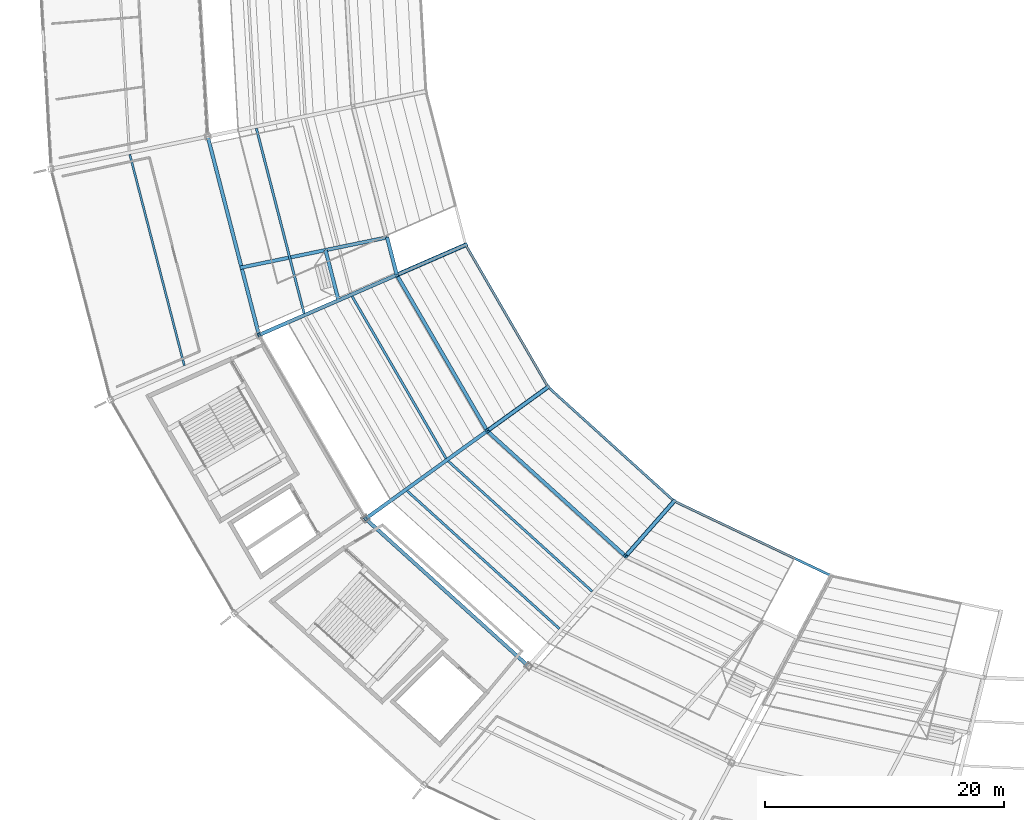
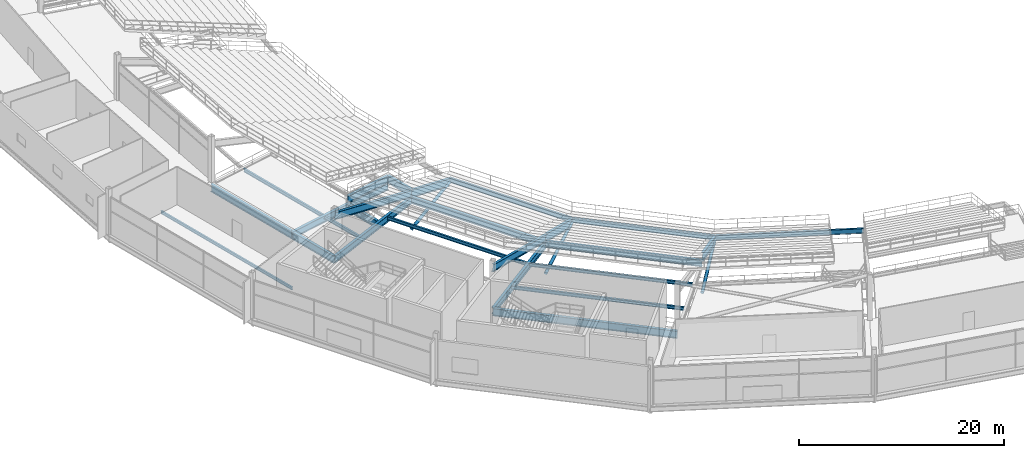
# One storey, part 26 of 186: 23 beams, 3 members.
"""IFC4 building model written with IfcOpenShell, lengths in metres."""

from ifc_helpers import new_model, si_unit, direction, frame, origin, origin_2d, place, context, subcontext, project, spatial, hollow_circle, i_section, extrude, material, material_profile, profile_set, type_object, element, save


model = new_model("IFC4")

# Units and contexts
model_context = context("Model", 3, precision=1e-05, world=origin(), true_north=direction((0.0, 1.0)))
body_context = subcontext(model_context, "Body", "Model", "MODEL_VIEW")
ifc_project = project(units=[si_unit("LENGTHUNIT", "METRE"), si_unit("AREAUNIT", "SQUARE_METRE"), si_unit("VOLUMEUNIT", "CUBIC_METRE"), si_unit("PLANEANGLEUNIT", "RADIAN"), si_unit("MASSUNIT", "GRAM", prefix="KILO")], contexts=[model_context])

# Site, building, storey
site_placement = place(None, origin())
site = spatial("IfcSite", under=ifc_project, at=site_placement, CompositionType="ELEMENT")
building_placement = place(site_placement, origin())
building = spatial("IfcBuilding", under=site, at=building_placement, Name="Kazemori Nagisa Stadium", CompositionType="ELEMENT")
storey_placement = place(building_placement, frame((0.0, 0.0, 20.39990234375)))
storey = spatial("IfcBuildingStorey", under=building, at=storey_placement, Name="L04", CompositionType="ELEMENT", Elevation=20.39990234375)

# Beams
ifc_material_1 = material(Name="Steel SN490B", Category="steel")
ifc_material_profile_1 = material_profile(ifc_material_1, i_section(OverallWidth=0.300048828125, OverallDepth=0.800048828125, WebThickness=0.013916015625, FlangeThickness=0.02587890625, FilletRadius=0.01806640625, at=origin_2d()), Name="H-800x300x14x26")
ifc_profile_set_1 = profile_set([ifc_material_profile_1], Name="Steel SN490B")
beam_type_1 = type_object("IfcBeamType", Name="Beam_BG-H800", PredefinedType="BEAM", material=ifc_profile_set_1)
beam_1_placement = place(storey_placement, frame((58.114013671875, 73.712890625, -0.699951171875), z_axis=(0.501613453924, -0.865091869597, 0.0), x_axis=(0.865091869597, 0.501613453924, 0.0)))
element("IfcBeam", 1, at=beam_1_placement, inside=storey, type_object=beam_type_1, Name="Ring girder BG-H800 L04 R1-17", PredefinedType="BEAM", context=body_context, shape_type="SweptSolid", body=[
    extrude(i_section(OverallWidth=0.300048828125, OverallDepth=0.800048828125, WebThickness=0.013916015625, FlangeThickness=0.02587890625, FilletRadius=0.01806640625, at=origin_2d()), origin(), (0.0, 0.0, 1.0), 15.1201171875),
])
beam_2_placement = place(storey_placement, frame((65.698486328125, 60.632568359375, -0.699951171875), z_axis=(0.741349160152, -0.6711195294, 0.0), x_axis=(0.6711195294, 0.741349160152, 0.0)))
element("IfcBeam", 2, at=beam_2_placement, inside=storey, type_object=beam_type_1, Name="Ring girder BG-H800 L04 R1-18", PredefinedType="BEAM", context=body_context, shape_type="SweptSolid", body=[
    extrude(i_section(OverallWidth=0.300048828125, OverallDepth=0.800048828125, WebThickness=0.013916015625, FlangeThickness=0.02587890625, FilletRadius=0.01806640625, at=origin_2d()), origin(), (0.0, 0.0, 1.0), 15.65380859375),
])
beam_3_placement = place(storey_placement, frame((58.114013671875, 73.712890625, -0.699951171875), z_axis=(-0.916671768981, -0.399640923771, 0.0), x_axis=(0.399640923771, -0.916671768981, 0.0)))
element("IfcBeam", 3, at=beam_3_placement, inside=storey, type_object=beam_type_1, Name="Radial girder BG-H800 L04 R1-R2-17", PredefinedType="BEAM", context=body_context, shape_type="SweptSolid", body=[
    extrude(i_section(OverallWidth=0.300048828125, OverallDepth=0.800048828125, WebThickness=0.013916015625, FlangeThickness=0.02587890625, FilletRadius=0.01806640625, at=origin_2d()), origin(), (0.0, 0.0, 1.0), 12.605224609375),
])
beam_4_placement = place(storey_placement, frame((65.698486328125, 60.632568359375, -0.699951171875), z_axis=(-0.810802996314, -0.585319144714, 0.0), x_axis=(0.585319144714, -0.810802996314, 0.0)))
element("IfcBeam", 4, at=beam_4_placement, inside=storey, type_object=beam_type_1, Name="Radial girder BG-H800 L04 R1-R2-18", PredefinedType="BEAM", context=body_context, shape_type="SweptSolid", body=[
    extrude(i_section(OverallWidth=0.300048828125, OverallDepth=0.800048828125, WebThickness=0.013916015625, FlangeThickness=0.02587890625, FilletRadius=0.01806640625, at=origin_2d()), origin(), (0.0, 0.0, 1.0), 12.585693359375),
])
beam_5_placement = place(storey_placement, frame((57.301513671875, 76.859619140625, -0.699951171875), z_axis=(-0.979315374168, -0.20233980804, 0.0), x_axis=(0.20233980804, -0.979315374168, 0.0)))
element("IfcBeam", 5, at=beam_5_placement, inside=storey, type_object=beam_type_1, Name="Upper vomitory radial carrier girder B16", PredefinedType="BEAM", context=body_context, shape_type="SweptSolid", body=[
    extrude(i_section(OverallWidth=0.300048828125, OverallDepth=0.800048828125, WebThickness=0.013916015625, FlangeThickness=0.02587890625, FilletRadius=0.01806640625, at=origin_2d()), origin(), (0.0, 0.0, 1.0), 12.605224609375),
])
ifc_material_profile_2 = material_profile(ifc_material_1, i_section(OverallWidth=0.300048828125, OverallDepth=0.89990234375, WebThickness=0.01611328125, FlangeThickness=0.028076171875, FilletRadius=0.01806640625, at=origin_2d()), Name="H-900x300x16x28")
ifc_profile_set_2 = profile_set([ifc_material_profile_2], Name="Steel SN490B")
beam_type_2 = type_object("IfcBeamType", Name="Beam_BG-H900", PredefinedType="BEAM", material=ifc_profile_set_2)
beam_6_placement = place(storey_placement, frame((42.262451171875, 85.31787109375, -0.75), z_axis=(0.249974673676, -0.968252375427, 0.0), x_axis=(0.968252375427, 0.249974673676, 0.0)))
element("IfcBeam", 6, at=beam_6_placement, inside=storey, type_object=beam_type_2, Name="Ring girder BG-H900 L04 R2-16", PredefinedType="BEAM", context=body_context, shape_type="SweptSolid", body=[
    extrude(i_section(OverallWidth=0.300048828125, OverallDepth=0.89990234375, WebThickness=0.01611328125, FlangeThickness=0.028076171875, FilletRadius=0.01806640625, at=origin_2d()), origin(), (0.0, 0.0, 1.0), 17.188232421875),
])
beam_7_placement = place(storey_placement, frame((55.493896484375, 53.265869140625, -0.75), z_axis=(0.741349142139, -0.671119549298, 0.0), x_axis=(0.671119549298, 0.741349142139, 0.0)))
element("IfcBeam", 7, at=beam_7_placement, inside=storey, type_object=beam_type_2, Name="Ring girder BG-H900 L04 R2-18", PredefinedType="BEAM", context=body_context, shape_type="SweptSolid", body=[
    extrude(i_section(OverallWidth=0.300048828125, OverallDepth=0.89990234375, WebThickness=0.01611328125, FlangeThickness=0.028076171875, FilletRadius=0.01806640625, at=origin_2d()), origin(), (0.0, 0.0, 1.0), 18.44189453125),
])
ifc_material_profile_3 = material_profile(ifc_material_1, i_section(OverallWidth=0.300048828125, OverallDepth=0.89990234375, WebThickness=0.01806640625, FlangeThickness=0.031982421875, FilletRadius=0.01806640625, at=origin_2d()), Name="H-900x300x18x32")
ifc_profile_set_3 = profile_set([ifc_material_profile_3], Name="Steel SN490B")
beam_type_3 = type_object("IfcBeamType", Name="Beam_BG-TR900", PredefinedType="BEAM", material=ifc_profile_set_3)
beam_8_placement = place(storey_placement, frame((57.301513671875, 76.859619140625, 0.150146484375), z_axis=(-0.979312342256, -0.202354481803, 0.0), x_axis=(0.202354481803, -0.979312342256, 0.0)))
element("IfcBeam", 8, at=beam_8_placement, inside=storey, type_object=beam_type_3, Name="Upper vomitory left transfer girder B16", PredefinedType="BEAM", context=body_context, shape_type="SweptSolid", body=[
    extrude(i_section(OverallWidth=0.300048828125, OverallDepth=0.89990234375, WebThickness=0.01806640625, FlangeThickness=0.031982421875, FilletRadius=0.01806640625, at=origin_2d()), origin(), (0.0, 0.0, 1.0), 5.2724609375),
])
beam_9_placement = place(storey_placement, frame((52.13818359375, 75.792724609375, -0.75), z_axis=(0.24996460126, -0.968254975777, 0.0), x_axis=(0.968254975777, 0.24996460126, 0.0)))
element("IfcBeam", 9, at=beam_9_placement, inside=storey, type_object=beam_type_3, Name="Upper vomitory portal header girder B16", PredefinedType="BEAM", context=body_context, shape_type="SweptSolid", body=[
    extrude(i_section(OverallWidth=0.300048828125, OverallDepth=0.89990234375, WebThickness=0.01806640625, FlangeThickness=0.031982421875, FilletRadius=0.01806640625, at=origin_2d()), origin(), (0.0, 0.0, 1.0), 4.349365234375),
])
beam_10_placement = place(storey_placement, frame((57.301513671875, 76.859619140625, 0.150146484375), z_axis=(0.25000524749, -0.968244481641, 0.0), x_axis=(0.968244481641, 0.25000524749, 0.0)))
element("IfcBeam", 10, at=beam_10_placement, inside=storey, type_object=beam_type_3, Name="Upper vomitory inner sill girder B16", PredefinedType="BEAM", context=body_context, shape_type="SweptSolid", body=[
    extrude(i_section(OverallWidth=0.300048828125, OverallDepth=0.89990234375, WebThickness=0.01806640625, FlangeThickness=0.031982421875, FilletRadius=0.01806640625, at=origin_2d()), origin(), (0.0, 0.0, 1.0), 3.25),
])
ifc_material_profile_4 = material_profile(ifc_material_1, i_section(OverallWidth=0.175048828125, OverallDepth=0.35009765625, WebThickness=0.007080078125, FlangeThickness=0.010986328125, FilletRadius=0.012939453125, at=origin_2d()), Name="H-350x175x7x11")
ifc_profile_set_4 = profile_set([ifc_material_profile_4], Name="Steel SN490B")
beam_type_4 = type_object("IfcBeamType", Name="Beam_BJ-H350", PredefinedType="JOIST", material=ifc_profile_set_4)
beam_11_placement = place(storey_placement, frame((35.72705078125, 83.81982421875, -0.474853515625), z_axis=(0.249965990044, -0.968254617248, 0.0), x_axis=(0.968254617248, 0.249965990044, 0.0)))
element("IfcBeam", 11, at=beam_11_placement, inside=storey, type_object=beam_type_4, Name="Outer bay joist BJ-H350 L04 B16", PredefinedType="JOIST", context=body_context, shape_type="SweptSolid", body=[
    extrude(i_section(OverallWidth=0.175048828125, OverallDepth=0.35009765625, WebThickness=0.007080078125, FlangeThickness=0.010986328125, FilletRadius=0.012939453125, at=origin_2d()), origin(), (0.0, 0.0, 1.0), 18.29736328125),
])
ifc_material_profile_5 = material_profile(ifc_material_1, i_section(OverallWidth=0.199951171875, OverallDepth=0.39990234375, WebThickness=0.008056640625, FlangeThickness=0.012939453125, FilletRadius=0.012939453125, at=origin_2d()), Name="H-400x200x8x13")
ifc_profile_set_5 = profile_set([ifc_material_profile_5], Name="Steel SN490B")
beam_type_5 = type_object("IfcBeamType", Name="Beam_BJ-H400", PredefinedType="JOIST", material=ifc_profile_set_5)
beam_12_placement = place(storey_placement, frame((46.335693359375, 86.01171875, -0.5), z_axis=(0.249956740753, -0.968257005011, 0.0), x_axis=(0.968257005011, 0.249956740753, 0.0)))
element("IfcBeam", 12, at=beam_12_placement, inside=storey, type_object=beam_type_5, Name="Concourse joist BJ-H400 L04 B16-2", PredefinedType="JOIST", context=body_context, shape_type="SweptSolid", body=[
    extrude(i_section(OverallWidth=0.199951171875, OverallDepth=0.39990234375, WebThickness=0.008056640625, FlangeThickness=0.012939453125, FilletRadius=0.012939453125, at=origin_2d()), origin(), (0.0, 0.0, 1.0), 16.038818359375),
])
beam_13_placement = place(storey_placement, frame((54.36474609375, 71.921142578125, -0.5), z_axis=(0.501603039788, -0.865097908028, 0.0), x_axis=(0.865097908028, 0.501603039788, 0.0)))
element("IfcBeam", 13, at=beam_13_placement, inside=storey, type_object=beam_type_5, Name="Concourse joist BJ-H400 L04 B17-1", PredefinedType="JOIST", context=body_context, shape_type="SweptSolid", body=[
    extrude(i_section(OverallWidth=0.199951171875, OverallDepth=0.39990234375, WebThickness=0.008056640625, FlangeThickness=0.012939453125, FilletRadius=0.012939453125, at=origin_2d()), origin(), (0.0, 0.0, 1.0), 15.720703125),
])
beam_14_placement = place(storey_placement, frame((62.4306640625, 58.0986328125, -0.5), z_axis=(0.741343259913, -0.671126047015, 0.0), x_axis=(0.671126047015, 0.741343259913, 0.0)))
element("IfcBeam", 14, at=beam_14_placement, inside=storey, type_object=beam_type_5, Name="Concourse joist BJ-H400 L04 B18-1", PredefinedType="JOIST", context=body_context, shape_type="SweptSolid", body=[
    extrude(i_section(OverallWidth=0.199951171875, OverallDepth=0.39990234375, WebThickness=0.008056640625, FlangeThickness=0.012939453125, FilletRadius=0.012939453125, at=origin_2d()), origin(), (0.0, 0.0, 1.0), 16.285888671875),
])
beam_15_placement = place(storey_placement, frame((58.976806640625, 55.605224609375, -0.5), z_axis=(0.741354140692, -0.671114027628, 0.0), x_axis=(0.671114027628, 0.741354140692, 0.0)))
element("IfcBeam", 15, at=beam_15_placement, inside=storey, type_object=beam_type_5, Name="Concourse joist BJ-H400 L04 B18-2", PredefinedType="JOIST", context=body_context, shape_type="SweptSolid", body=[
    extrude(i_section(OverallWidth=0.199951171875, OverallDepth=0.39990234375, WebThickness=0.008056640625, FlangeThickness=0.012939453125, FilletRadius=0.012939453125, at=origin_2d()), origin(), (0.0, 0.0, 1.0), 17.2294921875),
])
ifc_material_profile_6 = material_profile(ifc_material_1, i_section(OverallWidth=0.199951171875, OverallDepth=0.60009765625, WebThickness=0.010986328125, FlangeThickness=0.01708984375, FilletRadius=0.012939453125, at=origin_2d()), Name="H-600x200x11x17")
ifc_profile_set_6 = profile_set([ifc_material_profile_6], Name="Steel SN490B")
beam_type_6 = type_object("IfcBeamType", Name="Beam_BS-H600", PredefinedType="SPANDREL", material=ifc_profile_set_6)
beam_16_placement = place(storey_placement, frame((63.8916015625, 76.2314453125, -1.885009765625), z_axis=(0.501605611908, -0.865096416651, 0.0), x_axis=(0.865096416651, 0.501605611908, 0.0)))
element("IfcBeam", 16, at=beam_16_placement, inside=storey, type_object=beam_type_6, Name="Upper tier front ring beam 17", PredefinedType="SPANDREL", context=body_context, shape_type="SweptSolid", body=[
    extrude(i_section(OverallWidth=0.199951171875, OverallDepth=0.60009765625, WebThickness=0.010986328125, FlangeThickness=0.01708984375, FilletRadius=0.012939453125, at=origin_2d()), origin(), (0.0, 0.0, 1.0), 13.773681640625),
])
beam_17_placement = place(storey_placement, frame((70.800537109375, 64.31591796875, -1.885009765625), z_axis=(0.7413568829, -0.671110998402, 0.0), x_axis=(0.671110998402, 0.7413568829, 0.0)))
element("IfcBeam", 17, at=beam_17_placement, inside=storey, type_object=beam_type_6, Name="Upper tier front ring beam 18", PredefinedType="SPANDREL", context=body_context, shape_type="SweptSolid", body=[
    extrude(i_section(OverallWidth=0.199951171875, OverallDepth=0.60009765625, WebThickness=0.010986328125, FlangeThickness=0.01708984375, FilletRadius=0.012939453125, at=origin_2d()), origin(), (0.0, 0.0, 1.0), 14.260009765625),
])
beam_18_placement = place(storey_placement, frame((81.372314453125, 54.745849609375, -1.885009765625), z_axis=(0.903213541292, -0.429191447757, 0.0), x_axis=(0.429191447757, 0.903213541292, 0.0)))
element("IfcBeam", 18, at=beam_18_placement, inside=storey, type_object=beam_type_6, Name="Upper tier front ring beam 19", PredefinedType="SPANDREL", context=body_context, shape_type="SweptSolid", body=[
    extrude(i_section(OverallWidth=0.199951171875, OverallDepth=0.60009765625, WebThickness=0.010986328125, FlangeThickness=0.01708984375, FilletRadius=0.012939453125, at=origin_2d()), origin(), (0.0, 0.0, 1.0), 14.572998046875),
])
ifc_material_profile_7 = material_profile(ifc_material_1, i_section(OverallWidth=0.300048828125, OverallDepth=0.800048828125, WebThickness=0.013916015625, FlangeThickness=0.02587890625, FilletRadius=0.01806640625, at=origin_2d()), Name="H-800x300x14x26")
ifc_profile_set_7 = profile_set([ifc_material_profile_7], Name="Steel SN490B")
beam_type_7 = type_object("IfcBeamType", Name="Beam_RK-ST800", PredefinedType="USERDEFINED", material=ifc_profile_set_7)
beam_19_placement = place(storey_placement, frame((58.114013671875, 73.712890625, 0.02001953125), z_axis=(-0.864815739813, -0.377033277173, 0.331571476571), x_axis=(0.399640923771, -0.916671768981, 0.0)))
element("IfcBeam", 19, at=beam_19_placement, inside=storey, type_object=beam_type_7, Name="Raker beam upper backspan RK3-17B", ObjectType="RAKER BEAM", PredefinedType="USERDEFINED", context=body_context, shape_type="SweptSolid", body=[
    extrude(i_section(OverallWidth=0.300048828125, OverallDepth=0.800048828125, WebThickness=0.013916015625, FlangeThickness=0.02587890625, FilletRadius=0.01806640625, at=origin_2d()), origin(), (0.0, 0.0, 1.0), 13.361083984375),
])
beam_20_placement = place(storey_placement, frame((65.698486328125, 60.632568359375, 0.02001953125), z_axis=(-0.76480540319, -0.552113456047, 0.332029256096), x_axis=(0.585319144714, -0.810802996314, 0.0)))
element("IfcBeam", 20, at=beam_20_placement, inside=storey, type_object=beam_type_7, Name="Raker beam upper backspan RK3-18B", ObjectType="RAKER BEAM", PredefinedType="USERDEFINED", context=body_context, shape_type="SweptSolid", body=[
    extrude(i_section(OverallWidth=0.300048828125, OverallDepth=0.800048828125, WebThickness=0.013916015625, FlangeThickness=0.02587890625, FilletRadius=0.01806640625, at=origin_2d()), origin(), (0.0, 0.0, 1.0), 13.3427734375),
])
ifc_material_profile_8 = material_profile(ifc_material_1, i_section(OverallWidth=0.300048828125, OverallDepth=0.89990234375, WebThickness=0.01611328125, FlangeThickness=0.028076171875, FilletRadius=0.01806640625, at=origin_2d()), Name="H-900x300x16x28")
ifc_profile_set_8 = profile_set([ifc_material_profile_8], Name="Steel SN490B")
beam_type_8 = type_object("IfcBeamType", Name="Beam_RK-ST900", PredefinedType="USERDEFINED", material=ifc_profile_set_8)
beam_21_placement = place(storey_placement, frame((63.8916015625, 76.2314453125, -2.14990234375), z_axis=(-0.866757582883, -0.377835251427, 0.325533124727), x_axis=(0.399601278701, -0.916689052002, 0.0)))
element("IfcBeam", 21, at=beam_21_placement, inside=storey, type_object=beam_type_8, Name="Raker beam upper cantilever RK3-17A", ObjectType="RAKER BEAM", PredefinedType="USERDEFINED", context=body_context, shape_type="SweptSolid", body=[
    extrude(i_section(OverallWidth=0.300048828125, OverallDepth=0.89990234375, WebThickness=0.01611328125, FlangeThickness=0.028076171875, FilletRadius=0.01806640625, at=origin_2d()), origin(), (0.0, 0.0, 1.0), 6.665771484375),
])
beam_22_placement = place(storey_placement, frame((70.800537109375, 64.31591796875, -2.14990234375), z_axis=(-0.766497640218, -0.553361560818, 0.325994402635), x_axis=(0.585337557013, -0.810789704147, 0.0)))
element("IfcBeam", 22, at=beam_22_placement, inside=storey, type_object=beam_type_8, Name="Raker beam upper cantilever RK3-18A", ObjectType="RAKER BEAM", PredefinedType="USERDEFINED", context=body_context, shape_type="SweptSolid", body=[
    extrude(i_section(OverallWidth=0.300048828125, OverallDepth=0.89990234375, WebThickness=0.01611328125, FlangeThickness=0.028076171875, FilletRadius=0.01806640625, at=origin_2d()), origin(), (0.0, 0.0, 1.0), 6.65625),
])
beam_23_placement = place(storey_placement, frame((81.372314453125, 54.745849609375, -2.14990234375), z_axis=(-0.623412293651, -0.707688538557, 0.332466606623), x_axis=(0.75037351518, -0.66101406015, 0.0)))
element("IfcBeam", 23, at=beam_23_placement, inside=storey, type_object=beam_type_8, Name="Raker beam upper cantilever RK3-19A", ObjectType="RAKER BEAM", PredefinedType="USERDEFINED", context=body_context, shape_type="SweptSolid", body=[
    extrude(i_section(OverallWidth=0.300048828125, OverallDepth=0.89990234375, WebThickness=0.01611328125, FlangeThickness=0.028076171875, FilletRadius=0.01806640625, at=origin_2d()), origin(), (0.0, 0.0, 1.0), 6.52685546875),
])

# Members
ifc_material_2 = material(Name="Steel STK490", Category="steel")
ifc_material_profile_9 = material_profile(ifc_material_2, hollow_circle(Radius=0.177734375, WallThickness=0.0126953125, at=origin_2d()), Name="CHS-355.6x12.7")
ifc_profile_set_9 = profile_set([ifc_material_profile_9], Name="Steel STK490")
member_type = type_object("IfcMemberType", Name="Member_TB-CHS355", PredefinedType="BRACE", material=ifc_profile_set_9)
member_1_placement = place(storey_placement, frame((58.114013671875, 73.712890625, -4.25), z_axis=(0.869680376802, 0.379109349972, 0.316120456423), x_axis=(-0.399601278701, 0.916689052002, 0.0)))
element("IfcMember", 24, at=member_1_placement, inside=storey, type_object=member_type, Name="Upper tier cantilever truss strut UT-17", PredefinedType="BRACE", context=body_context, shape_type="SweptSolid", body=[
    extrude(hollow_circle(Radius=0.177734375, WallThickness=0.0126953125, at=origin_2d()), origin(), (0.0, 0.0, 1.0), 6.643310546875),
])
member_2_placement = place(storey_placement, frame((65.698486328125, 60.632568359375, -4.25), z_axis=(0.769089714942, 0.555232870577, 0.316571429224), x_axis=(-0.585337557013, 0.810789704147, 0.0)))
element("IfcMember", 25, at=member_2_placement, inside=storey, type_object=member_type, Name="Upper tier cantilever truss strut UT-18", PredefinedType="BRACE", context=body_context, shape_type="SweptSolid", body=[
    extrude(hollow_circle(Radius=0.177734375, WallThickness=0.0126953125, at=origin_2d()), origin(), (0.0, 0.0, 1.0), 6.6337890625),
])
member_3_placement = place(storey_placement, frame((77.303466796875, 50.126953125, -4.25), z_axis=(0.625605483799, 0.710178216008, 0.322900418315), x_axis=(-0.75037351518, 0.66101406015, 0.0)))
element("IfcMember", 26, at=member_3_placement, inside=storey, type_object=member_type, Name="Upper tier cantilever truss strut UT-19", PredefinedType="BRACE", context=body_context, shape_type="SweptSolid", body=[
    extrude(hollow_circle(Radius=0.177734375, WallThickness=0.0126953125, at=origin_2d()), origin(), (0.0, 0.0, 1.0), 6.50390625),
])

save(model, "model.ifc")
